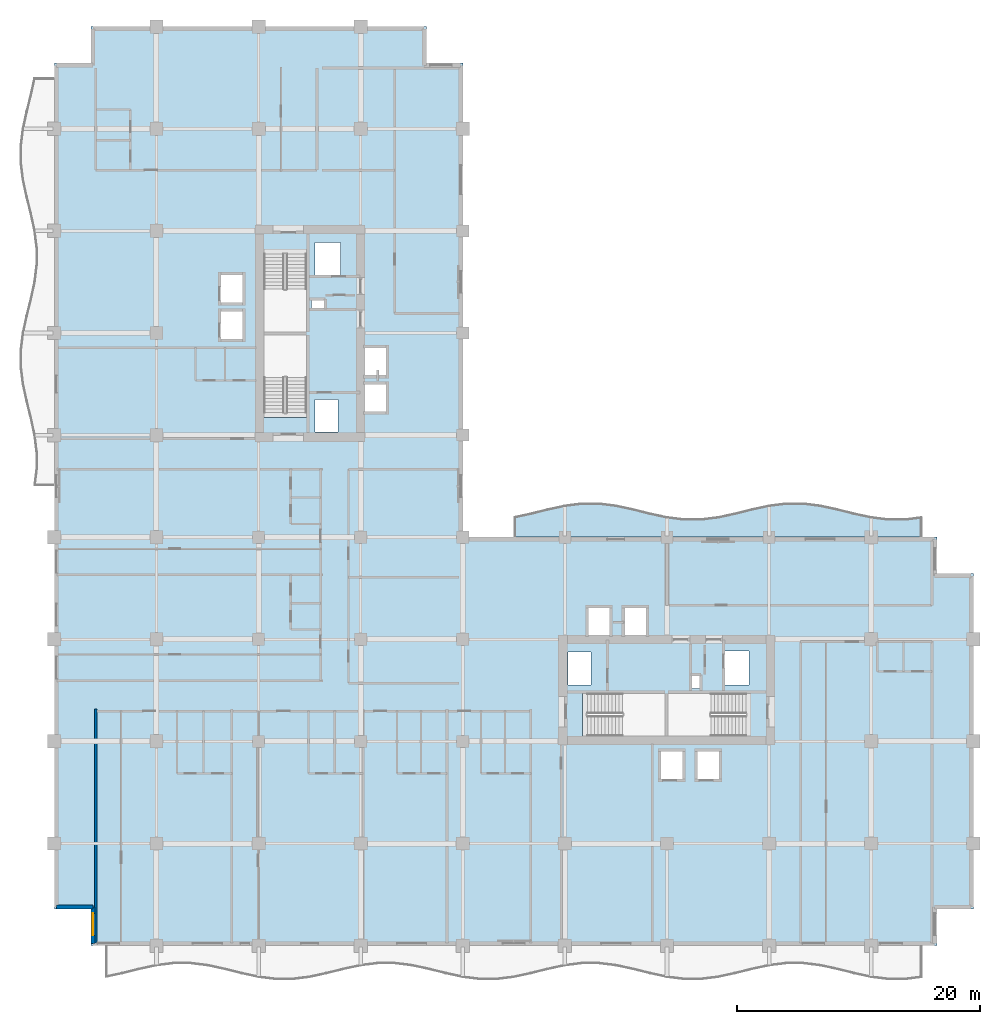
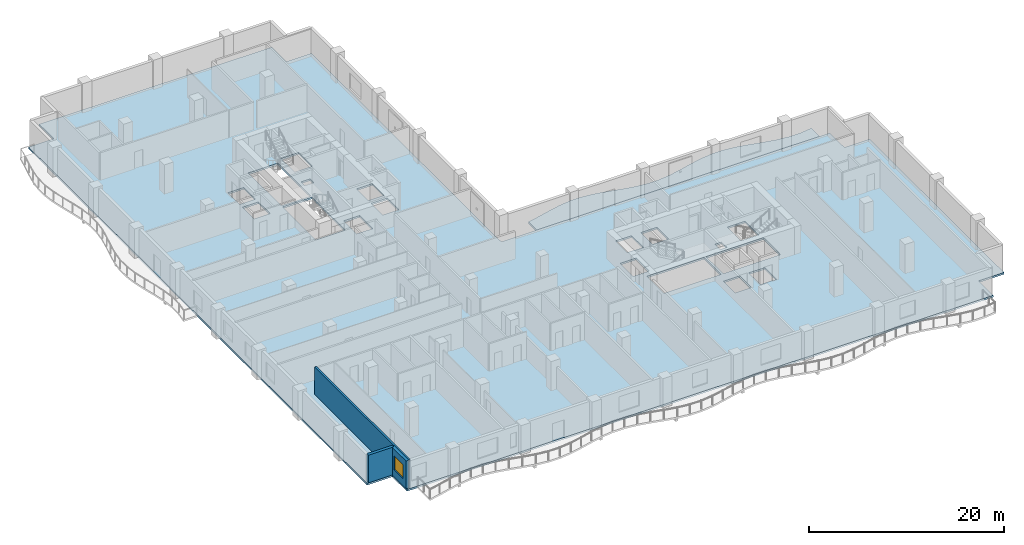
# One storey, part 3 of 16: 3 walls, 2 slabs, 1 window, 1 opening.
"""IFC4 building model written with IfcOpenShell, lengths in metres."""

from ifc_helpers import new_model, si_unit, direction, frame, frame_2d, origin, place, context, subcontext, project, spatial, polyline, rectangle, outline, extrude, material, layer, layer_set, type_object, element, fill, save


model = new_model("IFC4")

# Units and contexts
model_context = context("Model", 3, precision=1e-05, world=origin(), true_north=direction((0.0, 1.0)))
body_context = subcontext(model_context, "Body", "Model", "MODEL_VIEW")
ifc_project = project(units=[si_unit("LENGTHUNIT", "METRE"), si_unit("AREAUNIT", "SQUARE_METRE"), si_unit("VOLUMEUNIT", "CUBIC_METRE"), si_unit("PLANEANGLEUNIT", "RADIAN"), si_unit("MASSUNIT", "GRAM", prefix="KILO")], contexts=[model_context])

# Site, building, storey
site_placement = place(None, origin())
site = spatial("IfcSite", under=ifc_project, at=site_placement, CompositionType="ELEMENT")
building_placement = place(site_placement, origin())
building = spatial("IfcBuilding", under=site, at=building_placement, Name="Koriwani Terraces Tower", CompositionType="ELEMENT")
storey_placement = place(building_placement, frame((0.0, 0.0, 186.5)))
storey = spatial("IfcBuildingStorey", under=building, at=storey_placement, Name="L45", CompositionType="ELEMENT", Elevation=186.5)

# Slabs
ifc_material_1 = material(Name="Concrete C40/50", Category="concrete")
ifc_layer_1 = layer(ifc_material_1, 0.219970703125, Name="Concrete C40/50")
ifc_layer_set_1 = layer_set([ifc_layer_1], Name="Concrete C40/50")
slab_type_1 = type_object("IfcSlabType", Name="SLAB_BALCONY_220", PredefinedType="FLOOR", material=ifc_layer_set_1)
slab_1_placement = place(storey_placement, frame((0.0, 0.0, -0.219970703125)))
element("IfcSlab", 1, at=slab_1_placement, inside=storey, type_object=slab_type_1, Name="L45 Quilted Circular-Arc Balcony (NE)", PredefinedType="FLOOR", context=body_context, shape_type="SweptSolid", body=[
    extrude(outline(polyline([(71.39990234375, 33.60009765625), (70.0, 33.60009765625), (68.60009765625, 33.60009765625), (67.199951171875, 33.60009765625), (65.800048828125, 33.60009765625), (64.39990234375, 33.60009765625), (63.0, 33.60009765625), (61.60009765625, 33.60009765625), (60.199951171875, 33.60009765625), (58.800048828125, 33.60009765625), (57.39990234375, 33.60009765625), (56.0, 33.60009765625), (54.60009765625, 33.60009765625), (53.199951171875, 33.60009765625), (51.800048828125, 33.60009765625), (50.39990234375, 33.60009765625), (49.0, 33.60009765625), (47.60009765625, 33.60009765625), (46.199951171875, 33.60009765625), (44.800048828125, 33.60009765625), (43.39990234375, 33.60009765625), (42.0, 33.60009765625), (40.60009765625, 33.60009765625), (39.199951171875, 33.60009765625), (37.800048828125, 33.60009765625), (37.800048828125, 35.297607421875), (39.199951171875, 35.600341796875), (40.60009765625, 35.94970703125), (42.0, 36.252197265625), (43.39990234375, 36.427001953125), (44.800048828125, 36.427001953125), (46.199951171875, 36.252197265625), (47.60009765625, 35.94970703125), (49.0, 35.600341796875), (50.39990234375, 35.297607421875), (51.800048828125, 35.123046875), (53.199951171875, 35.123046875), (54.60009765625, 35.297607421875), (56.0, 35.600341796875), (57.39990234375, 35.94970703125), (58.800048828125, 36.252197265625), (60.199951171875, 36.427001953125), (61.60009765625, 36.427001953125), (63.0, 36.252197265625), (64.39990234375, 35.94970703125), (65.800048828125, 35.600341796875), (67.199951171875, 35.297607421875), (68.60009765625, 35.123046875), (70.0, 35.123046875), (71.39990234375, 35.297607421875), (71.39990234375, 33.60009765625)])), origin(), (0.0, 0.0, 1.0), 0.219970703125),
])
ifc_layer_2 = layer(ifc_material_1, 0.22998046875, Name="Concrete C40/50")
ifc_layer_set_2 = layer_set([ifc_layer_2], Name="Concrete C40/50")
slab_type_2 = type_object("IfcSlabType", Name="SLAB_RES_TYP_230", PredefinedType="FLOOR", material=ifc_layer_set_2)
slab_2_placement = place(storey_placement, frame((0.0, 0.0, -0.22998046875)))
element("IfcSlab", 2, at=slab_2_placement, inside=storey, type_object=slab_type_2, Name="L45 Structural Floor Slab", PredefinedType="FLOOR", context=body_context, shape_type="SweptSolid", body=[
    extrude(outline(polyline([(3.0, 0.0), (72.60009765625, 0.0), (72.60009765625, 3.0), (75.60009765625, 3.0), (75.60009765625, 30.60009765625), (72.60009765625, 30.60009765625), (72.60009765625, 33.60009765625), (33.60009765625, 33.60009765625), (33.60009765625, 72.60009765625), (30.60009765625, 72.60009765625), (30.60009765625, 75.60009765625), (3.0, 75.60009765625), (3.0, 72.60009765625), (0.0, 72.60009765625), (0.0, 3.0), (3.0, 3.0), (3.0, 0.0)]), holes=[polyline([(17.25, 43.4599609375), (20.75, 43.4599609375), (20.75, 50.25), (17.25, 50.25), (17.25, 43.4599609375)]), polyline([(17.25, 50.5), (20.75, 50.5), (20.75, 57.2900390625), (17.25, 57.2900390625), (17.25, 50.5)]), polyline([(43.4599609375, 17.25), (50.25, 17.25), (50.25, 20.75), (43.4599609375, 20.75), (43.4599609375, 17.25)]), polyline([(50.5, 17.25), (57.2900390625, 17.25), (57.2900390625, 20.75), (50.5, 20.75), (50.5, 17.25)]), polyline([(13.64990234375, 49.85009765625), (15.550048828125, 49.85009765625), (15.550048828125, 52.25), (13.64990234375, 52.25), (13.64990234375, 49.85009765625)]), polyline([(13.64990234375, 52.85009765625), (15.550048828125, 52.85009765625), (15.550048828125, 55.25), (13.64990234375, 55.25), (13.64990234375, 52.85009765625)]), polyline([(49.85009765625, 13.64990234375), (51.75, 13.64990234375), (51.75, 16.050048828125), (49.85009765625, 16.050048828125), (49.85009765625, 13.64990234375)]), polyline([(52.85009765625, 13.64990234375), (54.75, 13.64990234375), (54.75, 16.050048828125), (52.85009765625, 16.050048828125), (52.85009765625, 13.64990234375)]), polyline([(25.449951171875, 43.85009765625), (27.35009765625, 43.85009765625), (27.35009765625, 46.25), (25.449951171875, 46.25), (25.449951171875, 43.85009765625)]), polyline([(25.449951171875, 46.85009765625), (27.35009765625, 46.85009765625), (27.35009765625, 49.25), (25.449951171875, 49.25), (25.449951171875, 46.85009765625)]), polyline([(43.85009765625, 25.449951171875), (45.75, 25.449951171875), (45.75, 27.85009765625), (43.85009765625, 27.85009765625), (43.85009765625, 25.449951171875)]), polyline([(46.85009765625, 25.449951171875), (48.75, 25.449951171875), (48.75, 27.85009765625), (46.85009765625, 27.85009765625), (46.85009765625, 25.449951171875)]), polyline([(21.449951171875, 55.050048828125), (23.550048828125, 55.050048828125), (23.550048828125, 57.85009765625), (21.449951171875, 57.85009765625), (21.449951171875, 55.050048828125)]), polyline([(55.050048828125, 21.449951171875), (57.14990234375, 21.449951171875), (57.14990234375, 24.25), (55.050048828125, 24.25), (55.050048828125, 21.449951171875)]), polyline([(21.449951171875, 42.25), (23.35009765625, 42.25), (23.35009765625, 44.949951171875), (21.449951171875, 44.949951171875), (21.449951171875, 42.25)]), polyline([(42.25, 21.449951171875), (44.14990234375, 21.449951171875), (44.14990234375, 24.14990234375), (42.25, 24.14990234375), (42.25, 21.449951171875)]), polyline([(21.14990234375, 52.419921875), (22.219970703125, 52.419921875), (22.219970703125, 53.179931640625), (21.14990234375, 53.179931640625), (21.14990234375, 52.419921875)]), polyline([(52.419921875, 21.14990234375), (53.179931640625, 21.14990234375), (53.179931640625, 22.219970703125), (52.419921875, 22.219970703125), (52.419921875, 21.14990234375)])]), origin(), (0.0, 0.0, 1.0), 0.22998046875),
])

# Wall
ifc_material_2 = material(Name="Autoclaved Cellular Concrete Blockwork", Category="masonry")
ifc_layer_3 = layer(ifc_material_2, 0.219970703125, Name="Autoclaved Cellular Concrete Blockwork")
ifc_layer_set_3 = layer_set([ifc_layer_3], Name="Autoclaved Cellular Concrete Blockwork")
wall_type_1 = type_object("IfcWallType", Name="WALL_DEMISING_220", PredefinedType="PARTITIONING", material=ifc_layer_set_3)
wall_1_placement = place(storey_placement, frame((3.39990234375, 0.199951171875, 0.0), z_axis=(0.0, 0.0, 1.0), x_axis=(0.0, 1.0, 0.0)))
element("IfcWall", 3, at=wall_1_placement, inside=storey, type_object=wall_type_1, Name="L45 Interior Wall WRDEM-L45-SW-0", PredefinedType="PARTITIONING", context=body_context, shape_type="SweptSolid", body=[
    extrude(rectangle(XDim=19.280029296875, YDim=0.219970703125, at=frame_2d((9.64013671875, 0.0))), origin(), (0.0, 0.0, 1.0), 3.469970703125),
])

# Wall, opening, window
ifc_material_3 = material(Name="Concrete C50/60", Category="concrete")
ifc_layer_4 = layer(ifc_material_3, 0.35009765625, Name="Concrete C50/60")
ifc_layer_set_4 = layer_set([ifc_layer_4], Name="Concrete C50/60")
wall_type_2 = type_object("IfcWallType", Name="WALL_EXT_BRUTALIST_350", PredefinedType="STANDARD", material=ifc_layer_set_4)
wall_2_placement = place(storey_placement, frame((3.175048828125, 0.175048828125, 0.0), z_axis=(0.0, 0.0, 1.0), x_axis=(0.0, 1.0, 0.0)))
wall_2 = element("IfcWall", 4, at=wall_2_placement, inside=storey, type_object=wall_type_2, Name="L45 Fair-Faced Brutalist Exterior Wall (N0)", PredefinedType="STANDARD", context=body_context, shape_type="SweptSolid", body=[
    extrude(rectangle(XDim=3.0, YDim=0.35009765625, at=frame_2d((1.5, 0.0))), origin(), (0.0, 0.0, 1.0), 3.469970703125),
])
opening_placement = place(wall_2_placement, frame((0.677490234375, 0.0, 0.85009765625)))
opening = element("IfcOpeningElement", 5, at=opening_placement, cuts=wall_2, Name="Opening W-04", PredefinedType="OPENING", context=body_context, shape_type="SweptSolid", body=[
    extrude(rectangle(XDim=1.800048828125, YDim=1.800048828125, at=frame_2d((0.89990234375, 0.89990234375))), frame((0.0, 0.18505859375, 0.0), z_axis=(0.0, -1.0, 0.0), x_axis=(1.0, 0.0, 0.0)), (0.0, 0.0, 1.0), 0.3701171875),
])
ifc_material_4 = material(Name="Tempered Laminated Low-E Glass", Category="glass")
window_type = type_object("IfcWindowType", Name="WIN_RES_BED_1800X1800", PartitioningType="DOUBLE_PANEL_VERTICAL", PredefinedType="WINDOW", material=ifc_material_4)
window_placement = place(opening_placement, origin())
window = element("IfcWindow", 6, at=window_placement, inside=storey, type_object=window_type, Name="L45 Exterior Window (N0-R33)", OverallHeight=1.800048828125, OverallWidth=1.800048828125, PartitioningType="SINGLE_PANEL", PredefinedType="WINDOW", context=body_context, shape_type="SweptSolid", body=[
    extrude(rectangle(XDim=1.800048828125, YDim=1.800048828125, at=frame_2d((0.89990234375, 0.89990234375))), frame((0.0, 0.030029296875, 0.0), z_axis=(0.0, -1.0, 0.0), x_axis=(1.0, 0.0, 0.0)), (0.0, 0.0, 1.0), 0.06005859375),
])
fill(opening, window)

# Wall
wall_3_placement = place(storey_placement, frame((3.175048828125, 3.175048828125, 0.0), z_axis=(0.0, 0.0, 1.0), x_axis=(-1.0, 0.0, 0.0)))
element("IfcWall", 7, at=wall_3_placement, inside=storey, type_object=wall_type_2, Name="L45 Fair-Faced Brutalist Exterior Wall (N1)", PredefinedType="STANDARD", context=body_context, shape_type="SweptSolid", body=[
    extrude(rectangle(XDim=3.0, YDim=0.35009765625, at=frame_2d((1.5, 0.0))), origin(), (0.0, 0.0, 1.0), 3.469970703125),
])

save(model, "model.ifc")
